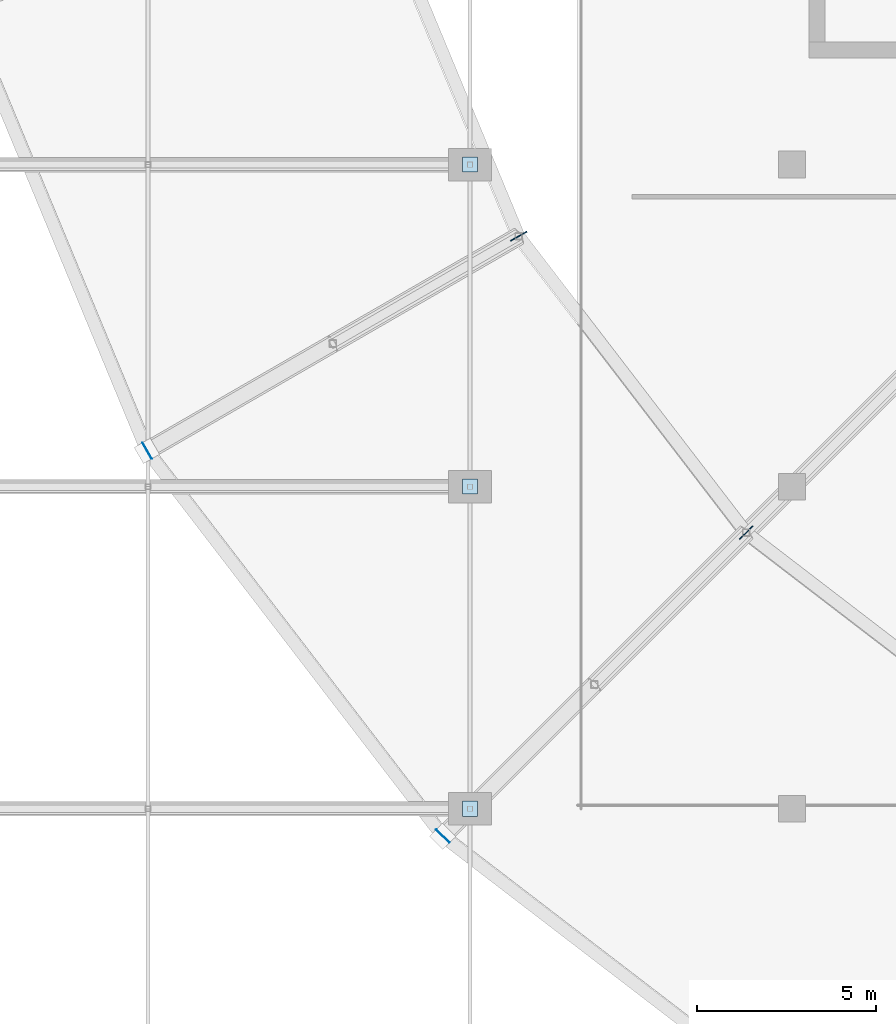
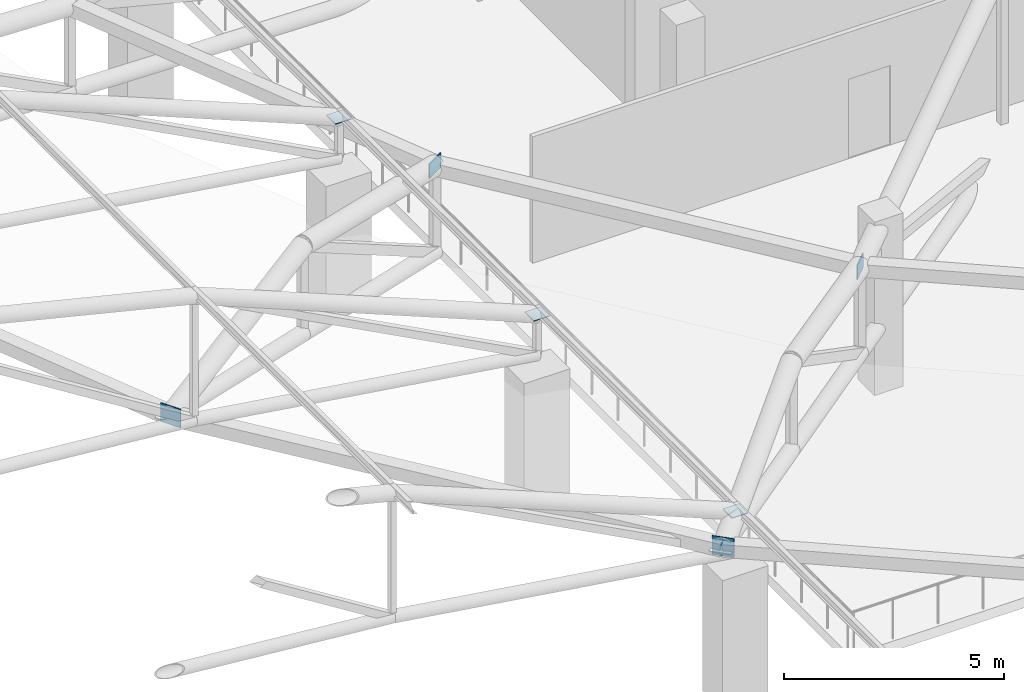
# One storey, part 124 of 167: 7 plates.
"""IFC4 building model written with IfcOpenShell, lengths in metres."""

from ifc_helpers import new_model, si_unit, direction, frame, origin, origin_2d, place, context, subcontext, project, spatial, rectangle, extrude, material, layer, layer_set, type_object, element, save


model = new_model("IFC4")

# Units and contexts
model_context = context("Model", 3, precision=1e-05, world=origin(), true_north=direction((0.0, 1.0)))
body_context = subcontext(model_context, "Body", "Model", "MODEL_VIEW")
ifc_project = project(units=[si_unit("LENGTHUNIT", "METRE"), si_unit("AREAUNIT", "SQUARE_METRE"), si_unit("VOLUMEUNIT", "CUBIC_METRE"), si_unit("PLANEANGLEUNIT", "RADIAN"), si_unit("MASSUNIT", "GRAM", prefix="KILO")], contexts=[model_context])

# Site, building, storey
site_placement = place(None, origin())
site = spatial("IfcSite", under=ifc_project, at=site_placement, CompositionType="ELEMENT")
building_placement = place(site_placement, origin())
building = spatial("IfcBuilding", under=site, at=building_placement, Name="Dornveld Trade and Exhibition Forum", CompositionType="ELEMENT")
storey_placement = place(building_placement, frame((0.0, 0.0, 16.800048828125)))
storey = spatial("IfcBuildingStorey", under=building, at=storey_placement, Name="L03", CompositionType="ELEMENT", Elevation=16.800048828125)

# Plates
ifc_material_1 = material(Name="Steel S355J2", Category="steel")
ifc_layer_1 = layer(ifc_material_1, 0.01611328125)
ifc_layer_set_1 = layer_set([ifc_layer_1], Name="Steel S355J2")
plate_type_1 = type_object("IfcPlateType", Name="PL-CAP-420x16", PredefinedType="SHEET", material=ifc_layer_set_1)
for number, where, z_axis, x_axis, name in (
    (1, (81.0, 45.0, 5.0419921875), (0.0, 0.0, 1.0), (1.0, 0.0, 0.0), "H3 truss 2 hollow end cap 2"),
    (2, (81.0, 54.0, 5.0419921875), (0.0, 0.0, 1.0), (1.0, 0.0, 0.0), "H3 truss 3 hollow end cap 2"),
    (3, (81.0, 63.0, 5.0419921875), (0.0, 0.0, 1.0), (1.0, 0.0, 0.0), "H3 truss 4 hollow end cap 2"),
):
    element("IfcPlate", number, at=place(storey_placement, frame(where, z_axis=z_axis, x_axis=x_axis)), inside=storey, type_object=plate_type_1, Name=name, PredefinedType="SHEET", context=body_context, shape_type="SweptSolid", body=[
        extrude(rectangle(XDim=0.419921875, YDim=0.419921875, at=origin_2d()), origin(), (0.0, 0.0, 1.0), 0.01611328125),
    ])
ifc_material_2 = material(Name="Steel S355J2", Category="steel")
ifc_layer_2 = layer(ifc_material_2, 0.02001953125)
ifc_layer_set_2 = layer_set([ifc_layer_2], Name="Steel S355J2")
plate_type_2 = type_object("IfcPlateType", Name="PL-CAP-520x20", PredefinedType="SHEET", material=ifc_layer_set_2)
for number, where, z_axis, x_axis, name in (
    (4, (71.97509765625, 55.0048828125, 4.5400390625), (0.0, 0.0, 1.0), (-0.866025403784, -0.5, 0.0), "Floating roof disc radial tip cap plate 15"),
    (5, (80.238037109375, 44.238037109375, 4.5400390625), (0.0, 0.0, 1.0), (-0.707106781187, -0.707106781187, 0.0), "Floating roof disc radial tip cap plate 16"),
):
    element("IfcPlate", number, at=place(storey_placement, frame(where, z_axis=z_axis, x_axis=x_axis)), inside=storey, type_object=plate_type_2, Name=name, PredefinedType="SHEET", context=body_context, shape_type="SweptSolid", body=[
        extrude(rectangle(XDim=0.02001953125, YDim=0.52001953125, at=origin_2d()), origin(), (0.0, 0.0, 1.0), 0.52001953125),
    ])
ifc_material_3 = material(Name="Steel S355J2", Category="steel")
ifc_layer_3 = layer(ifc_material_3, 0.01611328125)
ifc_layer_set_3 = layer_set([ifc_layer_3], Name="Steel S355J2")
plate_type_3 = type_object("IfcPlateType", Name="PL-NODE-07", PredefinedType="USERDEFINED", material=ifc_layer_set_3)
plate_1_placement = place(storey_placement, frame((82.35888671875, 61.0, 4.25), z_axis=(0.0, 0.0, 1.0), x_axis=(-0.866025403784, -0.5, 0.0)))
element("IfcPlate", 6, at=plate_1_placement, inside=storey, type_object=plate_type_3, Name="Floating disc core-ring gusset 15", ObjectType="GUSSET", PredefinedType="USERDEFINED", context=body_context, shape_type="SweptSolid", body=[
    extrude(rectangle(XDim=0.52001953125, YDim=0.028076171875, at=origin_2d()), origin(), (0.0, 0.0, 1.0), 0.39990234375),
])
ifc_material_4 = material(Name="Steel S355J2", Category="steel")
ifc_layer_4 = layer(ifc_material_4, 0.013916015625)
ifc_layer_set_4 = layer_set([ifc_layer_4], Name="Steel S355J2")
plate_type_4 = type_object("IfcPlateType", Name="PL-NODE-08", PredefinedType="USERDEFINED", material=ifc_layer_set_4)
plate_2_placement = place(storey_placement, frame((88.7158203125, 52.7158203125, 4.25), z_axis=(0.0, 0.0, 1.0), x_axis=(-0.707106781187, -0.707106781187, 0.0)))
element("IfcPlate", 7, at=plate_2_placement, inside=storey, type_object=plate_type_4, Name="Floating disc core-ring gusset 16", ObjectType="GUSSET", PredefinedType="USERDEFINED", context=body_context, shape_type="SweptSolid", body=[
    extrude(rectangle(XDim=0.52001953125, YDim=0.028076171875, at=origin_2d()), origin(), (0.0, 0.0, 1.0), 0.39990234375),
])

save(model, "model.ifc")
